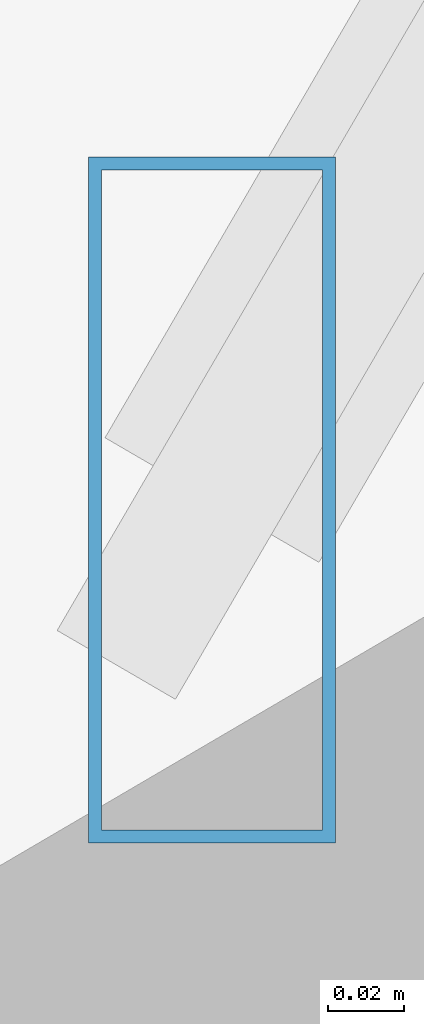
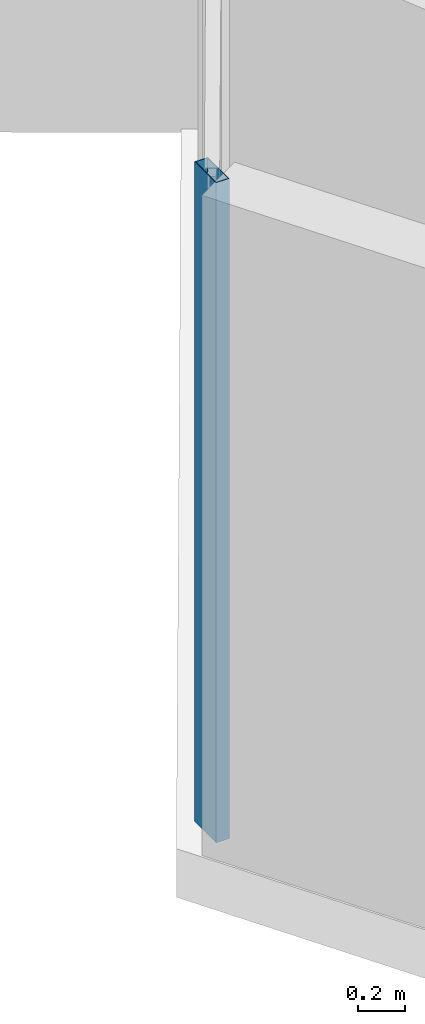
# One storey, part 5 of 37: 1 member, 1 element without a shape of its own.
"""IFC4 building model written with IfcOpenShell, lengths in metres."""

import ifcopenshell
import ifcopenshell.guid

model = None  # the IFC model being written
_history = None  # IfcOwnerHistory: only IFC2X3 demands one
_inside = {}  # id of a spatial element -> (the spatial element, [elements in it])
_under = {}  # id of a project, library or spatial element -> (it, [spatial elements below it])
_declared = {}  # id of a project -> (the project, [libraries it declares])
_typed = {}  # id of a type object -> (the type object, [elements of that type])
_made_of = {}  # id of a material, layer set ... -> (it, [elements and type objects made of it])


def new_model(schema):
    """Start an empty IFC model of exactly this schema.

    Asked for "IFC4X3", IfcOpenShell would pick the latest addendum, in which some entities
    have other attributes; the version numbers below select the first issue.
    IFC2X3 requires an IfcOwnerHistory on every rooted entity: one is made here for all.
    """
    global model, _history
    if schema == "IFC4X3":
        model = ifcopenshell.file(schema_version=(4, 3, 0, 0))
    else:
        model = ifcopenshell.file(schema=schema)
    _inside.clear()
    _under.clear()
    _declared.clear()
    _typed.clear()
    _made_of.clear()
    _history = None
    if model.schema == "IFC2X3":
        org = make("IfcOrganization", Name="unknown")
        user = make(
            "IfcPersonAndOrganization",
            ThePerson=make("IfcPerson", FamilyName="unknown"),
            TheOrganization=org,
        )
        app = make(
            "IfcApplication",
            ApplicationDeveloper=org,
            Version="unknown",
            ApplicationFullName="unknown",
            ApplicationIdentifier="unknown",
        )
        _history = make(
            "IfcOwnerHistory",
            OwningUser=user,
            OwningApplication=app,
            ChangeAction="ADDED",
            CreationDate=0,
        )
    return model


def make(cls, **values):
    """One entity of the class cls with the attributes given. An attribute that is None is left unset."""
    return model.create_entity(
        cls, **{name: value for name, value in values.items() if value is not None}
    )


def rooted(cls, **values):
    """An entity with a GlobalId (a new one), such as an element, a storey or a relation."""
    return make(cls, GlobalId=ifcopenshell.guid.new(), OwnerHistory=_history, **values)


def si_unit(unit_type, name, prefix=None):
    """IfcSIUnit, for example si_unit("LENGTHUNIT", "METRE", prefix="MILLI")."""
    return make("IfcSIUnit", UnitType=unit_type, Prefix=prefix, Name=name)


def assignment(units):
    """IfcUnitAssignment: the units of a project."""
    return None if units is None else make("IfcUnitAssignment", Units=units)


def point(xyz):
    """IfcCartesianPoint."""
    return None if xyz is None else make("IfcCartesianPoint", Coordinates=xyz)


def direction(xyz):
    """IfcDirection."""
    return None if xyz is None else make("IfcDirection", DirectionRatios=xyz)


def frame(location, z_axis=None, x_axis=None):
    """IfcAxis2Placement3D, a coordinate frame: its origin and axes. An axis left out is left unset."""
    return make(
        "IfcAxis2Placement3D",
        Location=point(location),
        Axis=direction(z_axis),
        RefDirection=direction(x_axis),
    )


def frame_2d(location, x_axis=None):
    """IfcAxis2Placement2D, a coordinate frame in the plane: its origin and x axis."""
    return make(
        "IfcAxis2Placement2D", Location=point(location), RefDirection=direction(x_axis)
    )


def origin():
    """The frame at (0, 0, 0) with its axes left unset."""
    return frame((0.0, 0.0, 0.0))


def origin_2d():
    """The frame at (0, 0) in the plane with its x axis left unset."""
    return frame_2d((0.0, 0.0))


def place(relative_to, where):
    """IfcLocalPlacement: puts the frame where relative to a parent placement (None: the world)."""
    return make(
        "IfcLocalPlacement", PlacementRelTo=relative_to, RelativePlacement=where
    )


def context(
    kind, dimensions, precision=None, world=None, true_north=None, identifier=None
):
    """IfcGeometricRepresentationContext, for example the 3D "Model" context."""
    return make(
        "IfcGeometricRepresentationContext",
        ContextIdentifier=identifier,
        ContextType=kind,
        CoordinateSpaceDimension=dimensions,
        Precision=precision,
        WorldCoordinateSystem=world,
        TrueNorth=true_north,
    )


def subcontext(parent, identifier, kind, view, scale=None):
    """IfcGeometricRepresentationSubContext, for example "Body" below "Model"."""
    return make(
        "IfcGeometricRepresentationSubContext",
        ContextIdentifier=identifier,
        ContextType=kind,
        ParentContext=parent,
        TargetScale=scale,
        TargetView=view,
    )


def project(units=None, contexts=None):
    """IfcProject with its units and contexts."""
    return rooted(
        "IfcProject",
        Name="project",
        RepresentationContexts=contexts,
        UnitsInContext=assignment(units),
    )


def spatial(cls, under=None, at=None, **own):
    """A site, building, storey or space (cls), placed at a placement, below another one or the project."""
    s = rooted(cls, ObjectPlacement=at, **own)
    if under is not None:
        _under.setdefault(under.id(), (under, []))[1].append(s)
    return s


def profile(cls, at=None, kind="AREA", **sizes):
    """A parametric profile (cls). Its sizes go by their IFC names, for example OverallWidth=200.0."""
    return make(cls, ProfileType=kind, Position=at, **sizes)


def hollow_rectangle(**sizes):
    """IfcRectangleHollowProfileDef."""
    return profile("IfcRectangleHollowProfileDef", **sizes)


def extrude(swept, where, along, depth):
    """IfcExtrudedAreaSolid: the profile swept, set in the frame where, extruded along a direction by depth."""
    return make(
        "IfcExtrudedAreaSolid",
        SweptArea=swept,
        Position=where,
        ExtrudedDirection=direction(along),
        Depth=depth,
    )


def shape(context_of_items, identifier, shape_type, items):
    """IfcShapeRepresentation: the items that make up one representation, for example the "Body"."""
    return make(
        "IfcShapeRepresentation",
        ContextOfItems=context_of_items,
        RepresentationIdentifier=identifier,
        RepresentationType=shape_type,
        Items=items,
    )


def source(mapping_origin, context_of_items, identifier, shape_type, items):
    """IfcRepresentationMap: a shape defined once, which mapped items show again and again."""
    return make(
        "IfcRepresentationMap",
        MappingOrigin=mapping_origin,
        MappedRepresentation=shape(context_of_items, identifier, shape_type, items),
    )


def transform(
    local_origin,
    x_axis=None,
    y_axis=None,
    z_axis=None,
    scale=None,
    scale2=None,
    scale3=None,
    uniform=True,
):
    """IfcCartesianTransformationOperator3D, or its non-uniform kind. x_axis, y_axis, z_axis: its Axis1, 2, 3."""
    if uniform:
        return make(
            "IfcCartesianTransformationOperator3D",
            Axis1=direction(x_axis),
            Axis2=direction(y_axis),
            LocalOrigin=point(local_origin),
            Scale=scale,
            Axis3=direction(z_axis),
        )
    return make(
        "IfcCartesianTransformationOperator3DnonUniform",
        Axis1=direction(x_axis),
        Axis2=direction(y_axis),
        LocalOrigin=point(local_origin),
        Scale=scale,
        Axis3=direction(z_axis),
        Scale2=scale2,
        Scale3=scale3,
    )


def mapped(mapping_source, mapping_target):
    """IfcMappedItem: shows the shape of a source again, moved by a transform."""
    return make(
        "IfcMappedItem", MappingSource=mapping_source, MappingTarget=mapping_target
    )


def material(Name=None, Category=None):
    """IfcMaterial."""
    return make("IfcMaterial", Name=Name, Category=Category)


def material_profile(
    of_material, cross_section, Name=None, Category=None, Priority=None
):
    """IfcMaterialProfile: a cross section and its material."""
    return make(
        "IfcMaterialProfile",
        Name=Name,
        Material=of_material,
        Profile=cross_section,
        Priority=Priority,
        Category=Category,
    )


def profile_set(profiles, Name=None, composite=None):
    """IfcMaterialProfileSet."""
    return make(
        "IfcMaterialProfileSet",
        Name=Name,
        MaterialProfiles=profiles,
        CompositeProfile=composite,
    )


def made_of(thing, what):
    """Note that an element or type object is made of a material, layer set ...; save() writes the relation."""
    if what is not None:
        _made_of.setdefault(what.id(), (what, []))[1].append(thing)
    return thing


def type_object(cls, material=None, **own):
    """A type object (cls), such as IfcWallType, which elements share."""
    return made_of(rooted(cls, **own), material)


def type_shapes(of_type, sources):
    """Give a type object the sources (RepresentationMaps) that its elements show as mapped items."""
    of_type.RepresentationMaps = sources


def element(
    cls,
    number,
    at=None,
    inside=None,
    cuts=None,
    type_object=None,
    material=None,
    context=None,
    identifier="Body",
    shape_type=None,
    held_by="IfcProductDefinitionShape",
    body=None,
    shapes=None,
    **own,
):
    """One element of the class cls, such as IfcWall. Its Tag is "e" and its number.

    at: its placement. inside: the storey or other place that contains it. cuts: it is an
    opening in that element (IfcRelVoidsElement). A single representation is given by context,
    identifier, shape_type and body (its items); several are given by shapes. held_by: the class
    of the entity that holds the representations. save() writes the other relations.
    """
    e = rooted(cls, Tag="e%d" % number, ObjectPlacement=at, **own)
    if body is not None:
        shapes = [shape(context, identifier, shape_type, body)]
    if shapes is not None:
        e.Representation = make(held_by, Representations=shapes)
    if inside is not None:
        _inside.setdefault(inside.id(), (inside, []))[1].append(e)
    if cuts is not None:
        rooted(
            "IfcRelVoidsElement", RelatingBuildingElement=cuts, RelatedOpeningElement=e
        )
    if type_object is not None:
        _typed.setdefault(type_object.id(), (type_object, []))[1].append(e)
    return made_of(e, material)


def aggregate(whole, parts):
    """IfcRelAggregates: a whole, such as a stair, and the parts it consists of."""
    return rooted("IfcRelAggregates", RelatingObject=whole, RelatedObjects=parts)


def save(model, path):
    """Write the relations noted so far, then the file.

    IfcRelAggregates (storeys below a building ...), IfcRelContainedInSpatialStructure (elements
    in a storey), IfcRelDefinesByType, IfcRelAssociatesMaterial and IfcRelDeclares: one each for
    every whole, place, type object, material and project.
    """
    for whole, parts in _under.values():
        aggregate(whole, parts)
    for where, things in _inside.values():
        rooted(
            "IfcRelContainedInSpatialStructure",
            RelatedElements=things,
            RelatingStructure=where,
        )
    for kind, things in _typed.values():
        rooted("IfcRelDefinesByType", RelatedObjects=things, RelatingType=kind)
    for what, things in _made_of.values():
        rooted("IfcRelAssociatesMaterial", RelatedObjects=things, RelatingMaterial=what)
    for by, libraries in _declared.values():
        rooted("IfcRelDeclares", RelatingContext=by, RelatedDefinitions=libraries)
    model.write(path)


model = new_model("IFC4")

# Units and contexts
model_context = context("Model", 3, precision=1e-05, world=origin(), true_north=direction((0.0, 1.0)))
body_context = subcontext(model_context, "Body", "Model", "MODEL_VIEW")
ifc_project = project(units=[si_unit("LENGTHUNIT", "METRE"), si_unit("AREAUNIT", "SQUARE_METRE"), si_unit("VOLUMEUNIT", "CUBIC_METRE"), si_unit("PLANEANGLEUNIT", "RADIAN"), si_unit("MASSUNIT", "GRAM", prefix="KILO")], contexts=[model_context])

# Site, building, storey
site_placement = place(None, origin())
site = spatial("IfcSite", under=ifc_project, at=site_placement, CompositionType="ELEMENT")
building_placement = place(site_placement, origin())
building = spatial("IfcBuilding", under=site, at=building_placement, Name="Caelisora Broadcast Tower", CompositionType="ELEMENT")
storey_placement = place(building_placement, frame((0.0, 0.0, 45.85009765625)))
storey = spatial("IfcBuildingStorey", under=building, at=storey_placement, Name="L11", CompositionType="ELEMENT", Elevation=45.85009765625)

# Curtain wall, member
ifc_material_1 = material(Name="Unitised Aluminium and Low-E Glass Curtain Wall", Category="glass")
curtain_wall_type = type_object("IfcCurtainWallType", Name="CW-Z1", PredefinedType="NOTDEFINED", material=ifc_material_1)
curtain_wall_placement = place(storey_placement, origin())
curtain_wall = element("IfcCurtainWall", 1, at=curtain_wall_placement, inside=storey, type_object=curtain_wall_type, Name="L11 curtain wall CW-Z1", PredefinedType="NOTDEFINED")
ifc_material_2 = material(Name="Aluminium 6063-T6 Anodised Terracotta Bronze", Category="aluminium")
ifc_material_profile = material_profile(ifc_material_2, hollow_rectangle(XDim=0.06494140625, YDim=0.179931640625, WallThickness=0.00341796875, at=origin_2d()), Name="Aluminium 6063-T6 Anodised Terracotta Bronze")
ifc_profile_set = profile_set([ifc_material_profile], Name="Aluminium 6063-T6 Anodised Terracotta Bronze")
member_type = type_object("IfcMemberType", Name="CWM-02", PredefinedType="MULLION", material=ifc_profile_set)
shared_shape = source(origin(), body_context, "Body", "SweptSolid", [
    extrude(hollow_rectangle(XDim=0.06494140625, YDim=0.179931640625, WallThickness=0.00341796875, at=origin_2d()), origin(), (0.0, 0.0, 1.0), 3.39990234375),
])
type_shapes(member_type, [shared_shape])
member_placement = place(storey_placement, frame((12.705078125, 19.53125, 0.0), z_axis=(0.0, 0.0, 1.0), x_axis=(1.0, 0.0, 0.0)))
member = element("IfcMember", 2, at=member_placement, type_object=member_type, Name="L11-CW-B09 mullion #0", PredefinedType="MULLION", context=body_context, shape_type="MappedRepresentation", body=[
    mapped(shared_shape, transform((0.0, 0.0, 0.0), scale=1.0)),
])
aggregate(curtain_wall, [member])

save(model, "model.ifc")
